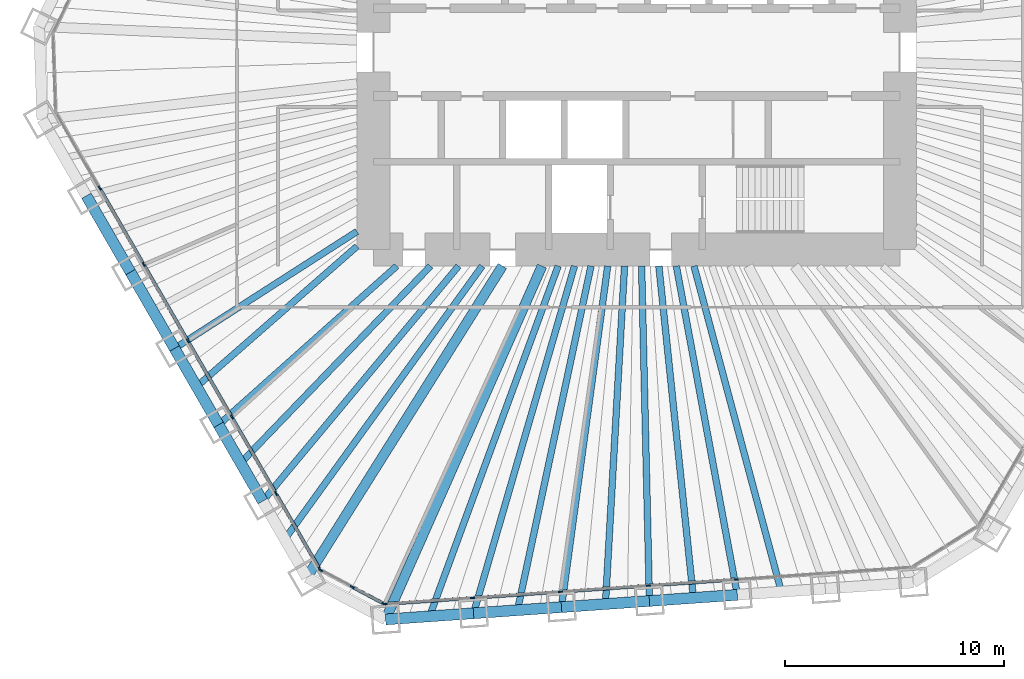
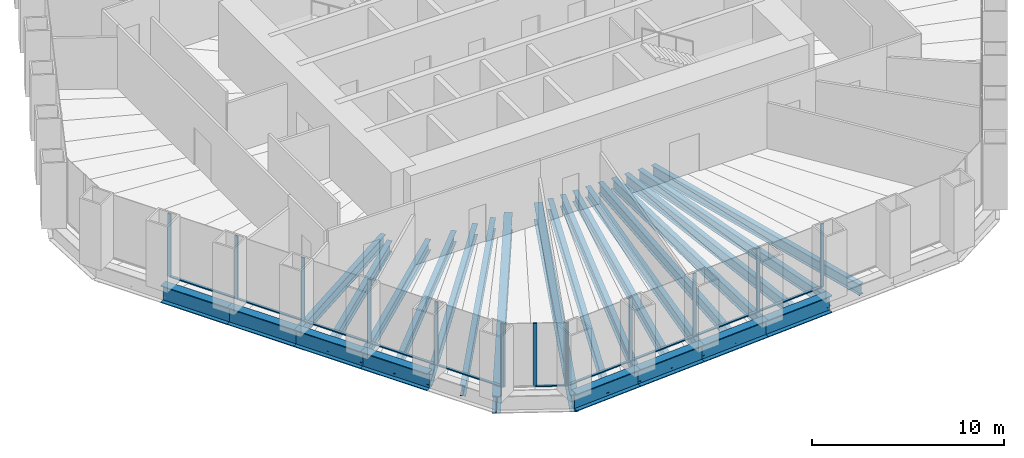
# One storey, part 2 of 13: 25 beams, 24 members, 3 elements without a shape of their own.
"""IFC4 building model written with IfcOpenShell, lengths in metres."""

from ifc_helpers import new_model, si_unit, direction, frame, origin, origin_2d, place, context, subcontext, project, spatial, rectangle, i_section, extrude, material, material_profile, profile_set, type_object, element, aggregate, save


model = new_model("IFC4")

# Units and contexts
model_context = context("Model", 3, precision=1e-05, world=origin(), true_north=direction((0.0, 1.0)))
body_context = subcontext(model_context, "Body", "Model", "MODEL_VIEW")
ifc_project = project(units=[si_unit("LENGTHUNIT", "METRE"), si_unit("AREAUNIT", "SQUARE_METRE"), si_unit("VOLUMEUNIT", "CUBIC_METRE"), si_unit("PLANEANGLEUNIT", "RADIAN"), si_unit("MASSUNIT", "GRAM", prefix="KILO")], contexts=[model_context])

# Site, building, storey
site_placement = place(None, origin())
site = spatial("IfcSite", under=ifc_project, at=site_placement, CompositionType="ELEMENT")
building_placement = place(site_placement, origin())
building = spatial("IfcBuilding", under=site, at=building_placement, Name="Qingtian Harvest Tower", CompositionType="ELEMENT")
storey_placement = place(building_placement, frame((0.0, 0.0, 161.800048828125)))
storey = spatial("IfcBuildingStorey", under=building, at=storey_placement, Name="L34", CompositionType="ELEMENT", Elevation=161.800048828125)

# Beams
ifc_material_1 = material(Name="Steel SM570MC", Category="steel")
ifc_material_profile_1 = material_profile(ifc_material_1, i_section(OverallWidth=0.449951171875, OverallDepth=1.10009765625, WebThickness=0.02197265625, FlangeThickness=0.044921875, at=origin_2d()), Name="H1100x450x22x45")
ifc_profile_set_1 = profile_set([ifc_material_profile_1], Name="Steel SM570MC")
beam_type_1 = type_object("IfcBeamType", Name="Corner floor beam FB8 H1100x450x22x45", PredefinedType="BEAM", material=ifc_profile_set_1)
beam_1_placement = place(storey_placement, frame((-11.445556640625, -25.861328125, -0.719970703125), z_axis=(0.404705702755, 0.914446988161, 0.0), x_axis=(-0.914446988161, 0.404705702755, 0.0)))
element("IfcBeam", 1, at=beam_1_placement, inside=storey, type_object=beam_type_1, Name="Floor beam FB8 S6", PredefinedType="BEAM", context=body_context, shape_type="SweptSolid", body=[
    extrude(i_section(OverallWidth=0.449951171875, OverallDepth=1.10009765625, WebThickness=0.02197265625, FlangeThickness=0.044921875, at=origin_2d()), origin(), (0.0, 0.0, 1.0), 17.61865234375),
])
beam_2_placement = place(storey_placement, frame((-15.039794921875, -23.950439453125, -0.719970703125), z_axis=(0.531797274443, 0.846871689747, 0.0), x_axis=(-0.846871689747, 0.531797274443, 0.0)))
element("IfcBeam", 2, at=beam_2_placement, inside=storey, type_object=beam_type_1, Name="Floor beam FB8 SW0", PredefinedType="BEAM", context=body_context, shape_type="SweptSolid", body=[
    extrude(i_section(OverallWidth=0.449951171875, OverallDepth=1.10009765625, WebThickness=0.02197265625, FlangeThickness=0.044921875, at=origin_2d()), origin(), (0.0, 0.0, 1.0), 16.76806640625),
])
ifc_material_2 = material(Name="Steel SN490B", Category="steel")
ifc_material_profile_2 = material_profile(ifc_material_2, i_section(OverallWidth=0.300048828125, OverallDepth=0.75, WebThickness=0.013916015625, FlangeThickness=0.02490234375, at=origin_2d()), Name="H750x300x14x25")
ifc_profile_set_2 = profile_set([ifc_material_profile_2], Name="Steel SN490B")
beam_type_2 = type_object("IfcBeamType", Name="Floor beam FB12 H750x300x14x25", PredefinedType="BEAM", material=ifc_profile_set_2)
beam_3_placement = place(storey_placement, frame((-7.436279296875, -25.5810546875, -0.545166015625), z_axis=(0.279142362954, 0.960249728562, 0.0), x_axis=(-0.960249728562, 0.279142362954, 0.0)))
element("IfcBeam", 3, at=beam_3_placement, inside=storey, type_object=beam_type_2, Name="Floor beam FB12 S5", PredefinedType="BEAM", context=body_context, shape_type="SweptSolid", body=[
    extrude(i_section(OverallWidth=0.300048828125, OverallDepth=0.75, WebThickness=0.013916015625, FlangeThickness=0.02490234375, at=origin_2d()), origin(), (0.0, 0.0, 1.0), 16.486328125),
])
ifc_material_3 = material(Name="Steel SN490B", Category="steel")
ifc_material_profile_3 = material_profile(ifc_material_3, i_section(OverallWidth=0.300048828125, OverallDepth=0.699951171875, WebThickness=0.012939453125, FlangeThickness=0.02392578125, at=origin_2d()), Name="H700x300x13x24")
ifc_profile_set_3 = profile_set([ifc_material_profile_3], Name="Steel SN490B")
beam_type_3 = type_object("IfcBeamType", Name="Floor beam FB2 H700x300x13x24", PredefinedType="BEAM", material=ifc_profile_set_3)
beam_4_placement = place(storey_placement, frame((4.591552734375, -24.739990234375, -0.52001953125), z_axis=(-0.182473442032, 0.983210782565, 0.0), x_axis=(-0.983210782565, -0.182473442032, 0.0)))
element("IfcBeam", 4, at=beam_4_placement, inside=storey, type_object=beam_type_3, Name="Floor beam FB2 S2", PredefinedType="BEAM", context=body_context, shape_type="SweptSolid", body=[
    extrude(i_section(OverallWidth=0.300048828125, OverallDepth=0.699951171875, WebThickness=0.012939453125, FlangeThickness=0.02392578125, at=origin_2d()), origin(), (0.0, 0.0, 1.0), 15.245849609375),
])
beam_5_placement = place(storey_placement, frame((0.582275390625, -25.020263671875, -0.52001953125), z_axis=(-0.023272189962, 0.999729165912, 0.0), x_axis=(-0.999729165912, -0.023272189962, 0.0)))
element("IfcBeam", 5, at=beam_5_placement, inside=storey, type_object=beam_type_3, Name="Floor beam FB2 S3", PredefinedType="BEAM", context=body_context, shape_type="SweptSolid", body=[
    extrude(i_section(OverallWidth=0.300048828125, OverallDepth=0.699951171875, WebThickness=0.012939453125, FlangeThickness=0.02392578125, at=origin_2d()), origin(), (0.0, 0.0, 1.0), 15.2744140625),
])
beam_6_placement = place(storey_placement, frame((-3.427001953125, -25.30078125, -0.52001953125), z_axis=(0.134230066005, 0.990950195207, 0.0), x_axis=(-0.990950195207, 0.134230066005, 0.0)))
element("IfcBeam", 6, at=beam_6_placement, inside=storey, type_object=beam_type_3, Name="Floor beam FB2 S4", PredefinedType="BEAM", context=body_context, shape_type="SweptSolid", body=[
    extrude(i_section(OverallWidth=0.300048828125, OverallDepth=0.699951171875, WebThickness=0.012939453125, FlangeThickness=0.02392578125, at=origin_2d()), origin(), (0.0, 0.0, 1.0), 15.69287109375),
])
beam_7_placement = place(storey_placement, frame((-17.04931640625, -20.4697265625, -0.52001953125), z_axis=(0.639988150605, 0.768384778015, 0.0), x_axis=(-0.768384778015, 0.639988150605, 0.0)))
element("IfcBeam", 7, at=beam_7_placement, inside=storey, type_object=beam_type_3, Name="Floor beam FB2 SW1", PredefinedType="BEAM", context=body_context, shape_type="SweptSolid", body=[
    extrude(i_section(OverallWidth=0.300048828125, OverallDepth=0.699951171875, WebThickness=0.012939453125, FlangeThickness=0.02392578125, at=origin_2d()), origin(), (0.0, 0.0, 1.0), 13.950927734375),
])
beam_8_placement = place(storey_placement, frame((-19.058837890625, -16.989013671875, -0.52001953125), z_axis=(0.746483707908, 0.665403692376, 0.0), x_axis=(-0.665403692376, 0.746483707908, 0.0)))
element("IfcBeam", 8, at=beam_8_placement, inside=storey, type_object=beam_type_3, Name="Floor beam FB2 SW2", PredefinedType="BEAM", context=body_context, shape_type="SweptSolid", body=[
    extrude(i_section(OverallWidth=0.300048828125, OverallDepth=0.699951171875, WebThickness=0.012939453125, FlangeThickness=0.02392578125, at=origin_2d()), origin(), (0.0, 0.0, 1.0), 10.879150390625),
])
beam_9_placement = place(storey_placement, frame((-21.068359375, -13.508544921875, -0.52001953125), z_axis=(0.841823295753, 0.539753220211, 0.0), x_axis=(-0.539753220211, 0.841823295753, 0.0)))
element("IfcBeam", 9, at=beam_9_placement, inside=storey, type_object=beam_type_3, Name="Floor beam FB2 SW3", PredefinedType="BEAM", context=body_context, shape_type="SweptSolid", body=[
    extrude(i_section(OverallWidth=0.300048828125, OverallDepth=0.699951171875, WebThickness=0.012939453125, FlangeThickness=0.02392578125, at=origin_2d()), origin(), (0.0, 0.0, 1.0), 9.88134765625),
])
ifc_material_4 = material(Name="Steel SN490B", Category="steel")
ifc_material_profile_4 = material_profile(ifc_material_4, i_section(OverallWidth=0.300048828125, OverallDepth=0.699951171875, WebThickness=0.012939453125, FlangeThickness=0.02392578125, at=origin_2d()), Name="H700x300x13x24")
ifc_profile_set_4 = profile_set([ifc_material_profile_4], Name="Steel SN490B")
beam_type_4 = type_object("IfcBeamType", Name="Floor joist J2 H700x300x13x24", PredefinedType="JOIST", material=ifc_profile_set_4)
beam_10_placement = place(storey_placement, frame((6.59619140625, -24.599853515625, -0.52001953125), z_axis=(-0.258996688759, 0.965878209306, 0.0), x_axis=(-0.965878209306, -0.258996688759, 0.0)))
element("IfcBeam", 10, at=beam_10_placement, inside=storey, type_object=beam_type_4, Name="Floor joist J2 S1", PredefinedType="JOIST", context=body_context, shape_type="SweptSolid", body=[
    extrude(i_section(OverallWidth=0.300048828125, OverallDepth=0.699951171875, WebThickness=0.012939453125, FlangeThickness=0.02392578125, at=origin_2d()), origin(), (0.0, 0.0, 1.0), 15.37451171875),
])
beam_11_placement = place(storey_placement, frame((2.5869140625, -24.880126953125, -0.52001953125), z_axis=(-0.103423163361, 0.994637446148, 0.0), x_axis=(-0.994637446148, -0.103423163361, 0.0)))
element("IfcBeam", 11, at=beam_11_placement, inside=storey, type_object=beam_type_4, Name="Floor joist J2 S2", PredefinedType="JOIST", context=body_context, shape_type="SweptSolid", body=[
    extrude(i_section(OverallWidth=0.300048828125, OverallDepth=0.699951171875, WebThickness=0.012939453125, FlangeThickness=0.02392578125, at=origin_2d()), origin(), (0.0, 0.0, 1.0), 15.211669921875),
])
beam_12_placement = place(storey_placement, frame((-1.42236328125, -25.160400390625, -0.52001953125), z_axis=(0.05643626267, 0.998406204035, 0.0), x_axis=(-0.998406204035, 0.05643626267, 0.0)))
element("IfcBeam", 12, at=beam_12_placement, inside=storey, type_object=beam_type_4, Name="Floor joist J2 S3", PredefinedType="JOIST", context=body_context, shape_type="SweptSolid", body=[
    extrude(i_section(OverallWidth=0.300048828125, OverallDepth=0.699951171875, WebThickness=0.012939453125, FlangeThickness=0.02392578125, at=origin_2d()), origin(), (0.0, 0.0, 1.0), 15.43505859375),
])
beam_13_placement = place(storey_placement, frame((-5.431640625, -25.44091796875, -0.52001953125), z_axis=(0.208799533611, 0.977958462699, 0.0), x_axis=(-0.977958462699, 0.208799533611, 0.0)))
element("IfcBeam", 13, at=beam_13_placement, inside=storey, type_object=beam_type_4, Name="Floor joist J2 S4", PredefinedType="JOIST", context=body_context, shape_type="SweptSolid", body=[
    extrude(i_section(OverallWidth=0.300048828125, OverallDepth=0.699951171875, WebThickness=0.012939453125, FlangeThickness=0.02392578125, at=origin_2d()), origin(), (0.0, 0.0, 1.0), 16.044677734375),
])
beam_14_placement = place(storey_placement, frame((-9.44091796875, -25.72119140625, -0.52001953125), z_axis=(0.344563279886, 0.938763093732, 0.0), x_axis=(-0.938763093732, 0.344563279886, 0.0)))
element("IfcBeam", 14, at=beam_14_placement, inside=storey, type_object=beam_type_4, Name="Floor joist J2 S5", PredefinedType="JOIST", context=body_context, shape_type="SweptSolid", body=[
    extrude(i_section(OverallWidth=0.300048828125, OverallDepth=0.699951171875, WebThickness=0.012939453125, FlangeThickness=0.02392578125, at=origin_2d()), origin(), (0.0, 0.0, 1.0), 17.012939453125),
])
beam_15_placement = place(storey_placement, frame((-16.04443359375, -22.2099609375, -0.52001953125), z_axis=(0.585581016658, 0.810613886465, 0.0), x_axis=(-0.810613886465, 0.585581016658, 0.0)))
element("IfcBeam", 15, at=beam_15_placement, inside=storey, type_object=beam_type_4, Name="Floor joist J2 SW0", PredefinedType="JOIST", context=body_context, shape_type="SweptSolid", body=[
    extrude(i_section(OverallWidth=0.300048828125, OverallDepth=0.699951171875, WebThickness=0.012939453125, FlangeThickness=0.02392578125, at=origin_2d()), origin(), (0.0, 0.0, 1.0), 15.37109375),
])
beam_16_placement = place(storey_placement, frame((-18.053955078125, -18.7294921875, -0.52001953125), z_axis=(0.693999346894, 0.719975629108, 0.0), x_axis=(-0.719975629108, 0.693999346894, 0.0)))
element("IfcBeam", 16, at=beam_16_placement, inside=storey, type_object=beam_type_4, Name="Floor joist J2 SW1", PredefinedType="JOIST", context=body_context, shape_type="SweptSolid", body=[
    extrude(i_section(OverallWidth=0.300048828125, OverallDepth=0.699951171875, WebThickness=0.012939453125, FlangeThickness=0.02392578125, at=origin_2d()), origin(), (0.0, 0.0, 1.0), 12.471923828125),
])
beam_17_placement = place(storey_placement, frame((-20.063720703125, -15.248779296875, -0.52001953125), z_axis=(0.752618713562, 0.658456583228, 0.0), x_axis=(-0.658456583228, 0.752618713562, 0.0)))
element("IfcBeam", 17, at=beam_17_placement, inside=storey, type_object=beam_type_4, Name="Floor joist J2 SW2", PredefinedType="JOIST", context=body_context, shape_type="SweptSolid", body=[
    extrude(i_section(OverallWidth=0.300048828125, OverallDepth=0.699951171875, WebThickness=0.012939453125, FlangeThickness=0.02392578125, at=origin_2d()), origin(), (0.0, 0.0, 1.0), 9.7177734375),
])

# Curtain wall, members
ifc_material_5 = material(Name="Bronze-anodised aluminium curtain wall", Category="aluminium")
curtain_wall_type = type_object("IfcCurtainWallType", Name="Curtain wall CW4 office", PredefinedType="USERDEFINED", material=ifc_material_5)
curtain_wall_1_placement = place(storey_placement, origin())
curtain_wall_1 = element("IfcCurtainWall", 18, at=curtain_wall_1_placement, inside=storey, type_object=curtain_wall_type, Name="Curtain wall CW4 L34 S0-5", ObjectType="RECESSED CURTAIN WALL", PredefinedType="USERDEFINED")
ifc_material_6 = material(Name="Bronze-anodised aluminium mullion", Category="aluminium")
ifc_material_profile_5 = material_profile(ifc_material_6, rectangle(XDim=0.06494140625, YDim=0.199951171875, at=origin_2d()), Name="AL 65x200")
ifc_profile_set_5 = profile_set([ifc_material_profile_5], Name="Bronze-anodised aluminium mullion")
member_type_1 = type_object("IfcMemberType", Name="Mullion CWM 65x200", PredefinedType="MULLION", material=ifc_profile_set_5)
member_1_placement = place(storey_placement, frame((4.542724609375, -24.041748046875, 0.0), z_axis=(0.0, 0.0, 1.0), x_axis=(0.069756473744, -0.99756405026, 0.0)))
member_1 = element("IfcMember", 19, at=member_1_placement, type_object=member_type_1, Name="CW4 mullion 3", PredefinedType="MULLION", context=body_context, shape_type="SweptSolid", body=[
    extrude(rectangle(XDim=0.06494140625, YDim=0.199951171875, at=origin_2d()), origin(), (0.0, 0.0, 1.0), 4.030029296875),
])
member_2_placement = place(storey_placement, frame((0.533447265625, -24.322021484375, 0.0), z_axis=(0.0, 0.0, 1.0), x_axis=(0.069756473744, -0.99756405026, 0.0)))
member_2 = element("IfcMember", 20, at=member_2_placement, type_object=member_type_1, Name="CW4 mullion 4", PredefinedType="MULLION", context=body_context, shape_type="SweptSolid", body=[
    extrude(rectangle(XDim=0.06494140625, YDim=0.199951171875, at=origin_2d()), origin(), (0.0, 0.0, 1.0), 4.030029296875),
])
member_3_placement = place(storey_placement, frame((-3.475830078125, -24.602294921875, 0.0), z_axis=(0.0, 0.0, 1.0), x_axis=(0.069756473744, -0.99756405026, 0.0)))
member_3 = element("IfcMember", 21, at=member_3_placement, type_object=member_type_1, Name="CW4 mullion 5", PredefinedType="MULLION", context=body_context, shape_type="SweptSolid", body=[
    extrude(rectangle(XDim=0.06494140625, YDim=0.199951171875, at=origin_2d()), origin(), (0.0, 0.0, 1.0), 4.030029296875),
])
member_4_placement = place(storey_placement, frame((-7.485107421875, -24.8828125, 0.0), z_axis=(0.0, 0.0, 1.0), x_axis=(0.069756473744, -0.99756405026, 0.0)))
member_4 = element("IfcMember", 22, at=member_4_placement, type_object=member_type_1, Name="CW4 mullion 6", PredefinedType="MULLION", context=body_context, shape_type="SweptSolid", body=[
    extrude(rectangle(XDim=0.06494140625, YDim=0.199951171875, at=origin_2d()), origin(), (0.0, 0.0, 1.0), 4.030029296875),
])
member_5_placement = place(storey_placement, frame((-11.4619140625, -25.160888671875, 0.0), z_axis=(0.0, 0.0, 1.0), x_axis=(0.069756473744, -0.99756405026, 0.0)))
member_5 = element("IfcMember", 23, at=member_5_placement, type_object=member_type_1, Name="CW4 mullion 7", PredefinedType="MULLION", context=body_context, shape_type="SweptSolid", body=[
    extrude(rectangle(XDim=0.06494140625, YDim=0.199951171875, at=origin_2d()), origin(), (0.0, 0.0, 1.0), 4.030029296875),
])

curtain_wall_2_placement = place(storey_placement, origin())
curtain_wall_2 = element("IfcCurtainWall", 24, at=curtain_wall_2_placement, inside=storey, type_object=curtain_wall_type, Name="Curtain wall CW4 L34 SC", ObjectType="RECESSED CURTAIN WALL", PredefinedType="USERDEFINED")
member_6_placement = place(storey_placement, frame((-11.523193359375, -25.14794921875, 0.0), z_axis=(0.0, 0.0, 1.0), x_axis=(-0.469471562786, -0.882947592859, 0.0)))
member_6 = element("IfcMember", 25, at=member_6_placement, type_object=member_type_1, Name="CW4 mullion 1", PredefinedType="MULLION", context=body_context, shape_type="SweptSolid", body=[
    extrude(rectangle(XDim=0.06494140625, YDim=0.199951171875, at=origin_2d()), origin(), (0.0, 0.0, 1.0), 4.030029296875),
])
member_7_placement = place(storey_placement, frame((-12.964111328125, -24.3818359375, 0.0), z_axis=(0.0, 0.0, 1.0), x_axis=(-0.469471562786, -0.882947592859, 0.0)))
member_7 = element("IfcMember", 26, at=member_7_placement, type_object=member_type_1, Name="CW4 mullion 2", PredefinedType="MULLION", context=body_context, shape_type="SweptSolid", body=[
    extrude(rectangle(XDim=0.06494140625, YDim=0.199951171875, at=origin_2d()), origin(), (0.0, 0.0, 1.0), 4.030029296875),
])
member_8_placement = place(storey_placement, frame((-14.40478515625, -23.61572265625, 0.0), z_axis=(0.0, 0.0, 1.0), x_axis=(-0.469471562786, -0.882947592859, 0.0)))
member_8 = element("IfcMember", 27, at=member_8_placement, type_object=member_type_1, Name="CW4 mullion 3", PredefinedType="MULLION", context=body_context, shape_type="SweptSolid", body=[
    extrude(rectangle(XDim=0.06494140625, YDim=0.199951171875, at=origin_2d()), origin(), (0.0, 0.0, 1.0), 4.030029296875),
])

curtain_wall_3_placement = place(storey_placement, origin())
curtain_wall_3 = element("IfcCurtainWall", 28, at=curtain_wall_3_placement, inside=storey, type_object=curtain_wall_type, Name="Curtain wall CW4 L34 SW0-5", ObjectType="RECESSED CURTAIN WALL", PredefinedType="USERDEFINED")
member_9_placement = place(storey_placement, frame((-14.44970703125, -23.572265625, 0.0), z_axis=(0.0, 0.0, 1.0), x_axis=(-0.866025403784, -0.5, 0.0)))
member_9 = element("IfcMember", 29, at=member_9_placement, type_object=member_type_1, Name="CW4 mullion 1", PredefinedType="MULLION", context=body_context, shape_type="SweptSolid", body=[
    extrude(rectangle(XDim=0.06494140625, YDim=0.199951171875, at=origin_2d()), origin(), (0.0, 0.0, 1.0), 4.030029296875),
])
member_10_placement = place(storey_placement, frame((-16.443115234375, -20.11962890625, 0.0), z_axis=(0.0, 0.0, 1.0), x_axis=(-0.866025403784, -0.5, 0.0)))
member_10 = element("IfcMember", 30, at=member_10_placement, type_object=member_type_1, Name="CW4 mullion 2", PredefinedType="MULLION", context=body_context, shape_type="SweptSolid", body=[
    extrude(rectangle(XDim=0.06494140625, YDim=0.199951171875, at=origin_2d()), origin(), (0.0, 0.0, 1.0), 4.030029296875),
])
member_11_placement = place(storey_placement, frame((-18.45263671875, -16.63916015625, 0.0), z_axis=(0.0, 0.0, 1.0), x_axis=(-0.866025403784, -0.5, 0.0)))
member_11 = element("IfcMember", 31, at=member_11_placement, type_object=member_type_1, Name="CW4 mullion 3", PredefinedType="MULLION", context=body_context, shape_type="SweptSolid", body=[
    extrude(rectangle(XDim=0.06494140625, YDim=0.199951171875, at=origin_2d()), origin(), (0.0, 0.0, 1.0), 4.030029296875),
])
member_12_placement = place(storey_placement, frame((-20.462158203125, -13.158447265625, 0.0), z_axis=(0.0, 0.0, 1.0), x_axis=(-0.866025403784, -0.5, 0.0)))
member_12 = element("IfcMember", 32, at=member_12_placement, type_object=member_type_1, Name="CW4 mullion 4", PredefinedType="MULLION", context=body_context, shape_type="SweptSolid", body=[
    extrude(rectangle(XDim=0.06494140625, YDim=0.199951171875, at=origin_2d()), origin(), (0.0, 0.0, 1.0), 4.030029296875),
])
member_13_placement = place(storey_placement, frame((-22.4716796875, -9.677978515625, 0.0), z_axis=(0.0, 0.0, 1.0), x_axis=(-0.866025403784, -0.5, 0.0)))
member_13 = element("IfcMember", 33, at=member_13_placement, type_object=member_type_1, Name="CW4 mullion 5", PredefinedType="MULLION", context=body_context, shape_type="SweptSolid", body=[
    extrude(rectangle(XDim=0.06494140625, YDim=0.199951171875, at=origin_2d()), origin(), (0.0, 0.0, 1.0), 4.030029296875),
])
member_14_placement = place(storey_placement, frame((-24.481201171875, -6.197265625, 0.0), z_axis=(0.0, 0.0, 1.0), x_axis=(-0.866025403784, -0.5, 0.0)))
member_14 = element("IfcMember", 34, at=member_14_placement, type_object=member_type_1, Name="CW4 mullion 6", PredefinedType="MULLION", context=body_context, shape_type="SweptSolid", body=[
    extrude(rectangle(XDim=0.06494140625, YDim=0.199951171875, at=origin_2d()), origin(), (0.0, 0.0, 1.0), 4.030029296875),
])

# Beams
ifc_material_7 = material(Name="Steel SM570MC", Category="steel")
ifc_material_profile_6 = material_profile(ifc_material_7, i_section(OverallWidth=0.5, OverallDepth=1.10009765625, WebThickness=0.02490234375, FlangeThickness=0.050048828125, at=origin_2d()), Name="H1100x500x25x50")
ifc_profile_set_6 = profile_set([ifc_material_profile_6], Name="Steel SM570MC")
beam_type_5 = type_object("IfcBeamType", Name="Spandrel beam SB2 H1100x500x25x50", PredefinedType="SPANDREL", material=ifc_profile_set_6)
for number, where, z_axis, x_axis, name in (
    (35, (4.591552734375, -24.739990234375, -0.550048828125), (-0.997565479251, -0.069736035208, 0.0), (0.069736035208, -0.997565479251, 0.0), "Spandrel SB2 S2"),
    (36, (0.582275390625, -25.020263671875, -0.550048828125), (-0.997561251588, -0.069796485086, 0.0), (0.069796485086, -0.997561251588, 0.0), "Spandrel SB2 S3"),
    (37, (-3.427001953125, -25.30078125, -0.550048828125), (-0.997565479251, -0.069736035208, 0.0), (0.069736035208, -0.997565479251, 0.0), "Spandrel SB2 S4"),
    (38, (-7.436279296875, -25.5810546875, -0.550048828125), (-0.997565479251, -0.069736035208, 0.0), (0.069736035208, -0.997565479251, 0.0), "Spandrel SB2 S5"),
    (39, (-17.04931640625, -20.4697265625, -0.550048828125), (-0.499987116613, 0.866032841884, 0.0), (-0.866032841884, -0.499987116613, 0.0), "Spandrel SB2 SW1"),
    (40, (-19.058837890625, -16.989013671875, -0.550048828125), (-0.500013420409, 0.866017655369, 0.0), (-0.866017655369, -0.500013420409, 0.0), "Spandrel SB2 SW2"),
    (41, (-21.068359375, -13.508544921875, -0.550048828125), (-0.499987116613, 0.866032841884, 0.0), (-0.866032841884, -0.499987116613, 0.0), "Spandrel SB2 SW3"),
    (42, (-23.077880859375, -10.02783203125, -0.550048828125), (-0.499987116613, 0.866032841884, 0.0), (-0.866032841884, -0.499987116613, 0.0), "Spandrel SB2 SW4"),
):
    element("IfcBeam", number, at=place(storey_placement, frame(where, z_axis=z_axis, x_axis=x_axis)), inside=storey, type_object=beam_type_5, Name=name, PredefinedType="SPANDREL", context=body_context, shape_type="SweptSolid", body=[
        extrude(i_section(OverallWidth=0.5, OverallDepth=1.10009765625, WebThickness=0.02490234375, FlangeThickness=0.050048828125, at=origin_2d()), origin(), (0.0, 0.0, 1.0), 4.01904296875),
    ])

# Member
ifc_material_8 = material(Name="Bronze-anodised aluminium transom", Category="aluminium")
ifc_material_profile_7 = material_profile(ifc_material_8, rectangle(XDim=0.14990234375, YDim=0.06494140625, at=origin_2d()), Name="AL 65x150")
ifc_profile_set_7 = profile_set([ifc_material_profile_7], Name="Bronze-anodised aluminium transom")
member_type_2 = type_object("IfcMemberType", Name="Transom CWT 65x150", PredefinedType="USERDEFINED", material=ifc_profile_set_7)
member_15_placement = place(storey_placement, frame((4.51025390625, -24.0439453125, 0.032470703125), z_axis=(-0.997562922571, -0.069772598571, 0.0), x_axis=(0.069772598571, -0.997562922571, 0.0)))
member_15 = element("IfcMember", 43, at=member_15_placement, type_object=member_type_2, Name="CW4 transom 3.1", ObjectType="TRANSOM", PredefinedType="USERDEFINED", context=body_context, shape_type="SweptSolid", body=[
    extrude(rectangle(XDim=0.14990234375, YDim=0.06494140625, at=origin_2d()), origin(), (0.0, 0.0, 1.0), 3.953857421875),
])

member_16_placement = place(storey_placement, frame((0.5009765625, -24.32421875, 0.032470703125), z_axis=(-0.997562922571, -0.069772598571, 0.0), x_axis=(0.069772598571, -0.997562922571, 0.0)))
member_16 = element("IfcMember", 44, at=member_16_placement, type_object=member_type_2, Name="CW4 transom 4.1", ObjectType="TRANSOM", PredefinedType="USERDEFINED", context=body_context, shape_type="SweptSolid", body=[
    extrude(rectangle(XDim=0.14990234375, YDim=0.06494140625, at=origin_2d()), origin(), (0.0, 0.0, 1.0), 3.953857421875),
])

member_17_placement = place(storey_placement, frame((-3.50830078125, -24.604736328125, 0.032470703125), z_axis=(-0.997567218353, -0.069711153102, 0.0), x_axis=(0.069711153102, -0.997567218353, 0.0)))
member_17 = element("IfcMember", 45, at=member_17_placement, type_object=member_type_2, Name="CW4 transom 5.1", ObjectType="TRANSOM", PredefinedType="USERDEFINED", context=body_context, shape_type="SweptSolid", body=[
    extrude(rectangle(XDim=0.14990234375, YDim=0.06494140625, at=origin_2d()), origin(), (0.0, 0.0, 1.0), 3.953857421875),
])

member_18_placement = place(storey_placement, frame((-7.517578125, -24.885009765625, 0.032470703125), z_axis=(-0.997561915105, -0.069787001175, 0.0), x_axis=(0.069787001175, -0.997561915105, 0.0)))
member_18 = element("IfcMember", 46, at=member_18_placement, type_object=member_type_2, Name="CW4 transom 6.1", ObjectType="TRANSOM", PredefinedType="USERDEFINED", context=body_context, shape_type="SweptSolid", body=[
    extrude(rectangle(XDim=0.14990234375, YDim=0.06494140625, at=origin_2d()), origin(), (0.0, 0.0, 1.0), 3.921630859375),
])

aggregate(curtain_wall_1, [member_1, member_2, member_3, member_4, member_5, member_15, member_16, member_17, member_18])

member_19_placement = place(storey_placement, frame((-11.5517578125, -25.132568359375, 0.032470703125), z_axis=(-0.882960338349, 0.46944759122, 0.0), x_axis=(-0.46944759122, -0.882960338349, 0.0)))
member_19 = element("IfcMember", 47, at=member_19_placement, type_object=member_type_2, Name="CW4 transom 1.1", ObjectType="TRANSOM", PredefinedType="USERDEFINED", context=body_context, shape_type="SweptSolid", body=[
    extrude(rectangle(XDim=0.14990234375, YDim=0.06494140625, at=origin_2d()), origin(), (0.0, 0.0, 1.0), 1.56689453125),
])

aggregate(curtain_wall_2, [member_6, member_7, member_8, member_19])

member_20_placement = place(storey_placement, frame((-14.466064453125, -23.5439453125, 0.032470703125), z_axis=(-0.500002696854, 0.866023846749, 0.0), x_axis=(-0.866023846749, -0.500002696854, 0.0)))
member_20 = element("IfcMember", 48, at=member_20_placement, type_object=member_type_2, Name="CW4 transom 1.1", ObjectType="TRANSOM", PredefinedType="USERDEFINED", context=body_context, shape_type="SweptSolid", body=[
    extrude(rectangle(XDim=0.14990234375, YDim=0.06494140625, at=origin_2d()), origin(), (0.0, 0.0, 1.0), 3.92138671875),
])

member_21_placement = place(storey_placement, frame((-16.459228515625, -20.091552734375, 0.032470703125), z_axis=(-0.500003941941, 0.866023127892, 0.0), x_axis=(-0.866023127892, -0.500003941941, 0.0)))
member_21 = element("IfcMember", 49, at=member_21_placement, type_object=member_type_2, Name="CW4 transom 2.1", ObjectType="TRANSOM", PredefinedType="USERDEFINED", context=body_context, shape_type="SweptSolid", body=[
    extrude(rectangle(XDim=0.14990234375, YDim=0.06494140625, at=origin_2d()), origin(), (0.0, 0.0, 1.0), 3.9541015625),
])

member_22_placement = place(storey_placement, frame((-18.468994140625, -16.611083984375, 0.032470703125), z_axis=(-0.49993089783, 0.866065296265, 0.0), x_axis=(-0.866065296265, -0.49993089783, 0.0)))
member_22 = element("IfcMember", 50, at=member_22_placement, type_object=member_type_2, Name="CW4 transom 3.1", ObjectType="TRANSOM", PredefinedType="USERDEFINED", context=body_context, shape_type="SweptSolid", body=[
    extrude(rectangle(XDim=0.14990234375, YDim=0.06494140625, at=origin_2d()), origin(), (0.0, 0.0, 1.0), 3.9541015625),
])

member_23_placement = place(storey_placement, frame((-20.478515625, -13.13037109375, 0.032470703125), z_axis=(-0.500003941941, 0.866023127892, 0.0), x_axis=(-0.866023127892, -0.500003941941, 0.0)))
member_23 = element("IfcMember", 51, at=member_23_placement, type_object=member_type_2, Name="CW4 transom 4.1", ObjectType="TRANSOM", PredefinedType="USERDEFINED", context=body_context, shape_type="SweptSolid", body=[
    extrude(rectangle(XDim=0.14990234375, YDim=0.06494140625, at=origin_2d()), origin(), (0.0, 0.0, 1.0), 3.9541015625),
])

member_24_placement = place(storey_placement, frame((-22.488037109375, -9.649658203125, 0.032470703125), z_axis=(-0.500003941941, 0.866023127892, 0.0), x_axis=(-0.866023127892, -0.500003941941, 0.0)))
member_24 = element("IfcMember", 52, at=member_24_placement, type_object=member_type_2, Name="CW4 transom 5.1", ObjectType="TRANSOM", PredefinedType="USERDEFINED", context=body_context, shape_type="SweptSolid", body=[
    extrude(rectangle(XDim=0.14990234375, YDim=0.06494140625, at=origin_2d()), origin(), (0.0, 0.0, 1.0), 3.9541015625),
])

aggregate(curtain_wall_3, [member_9, member_10, member_11, member_12, member_13, member_14, member_20, member_21, member_22, member_23, member_24])

save(model, "model.ifc")
